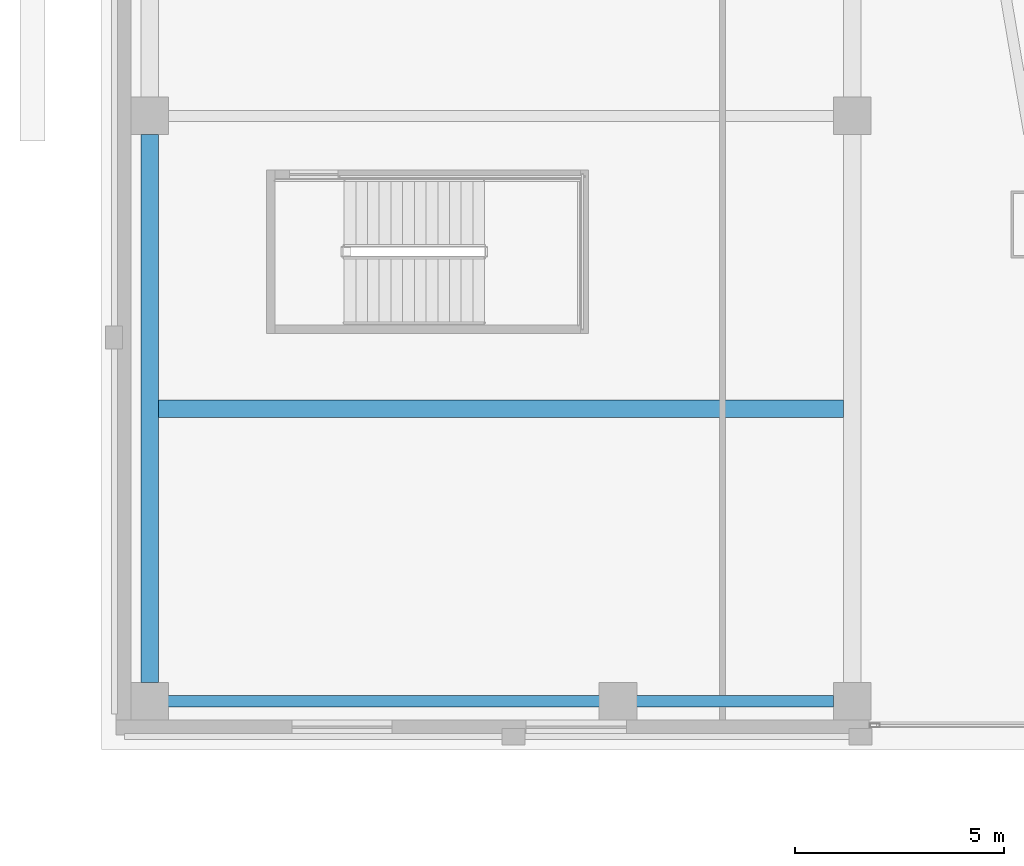
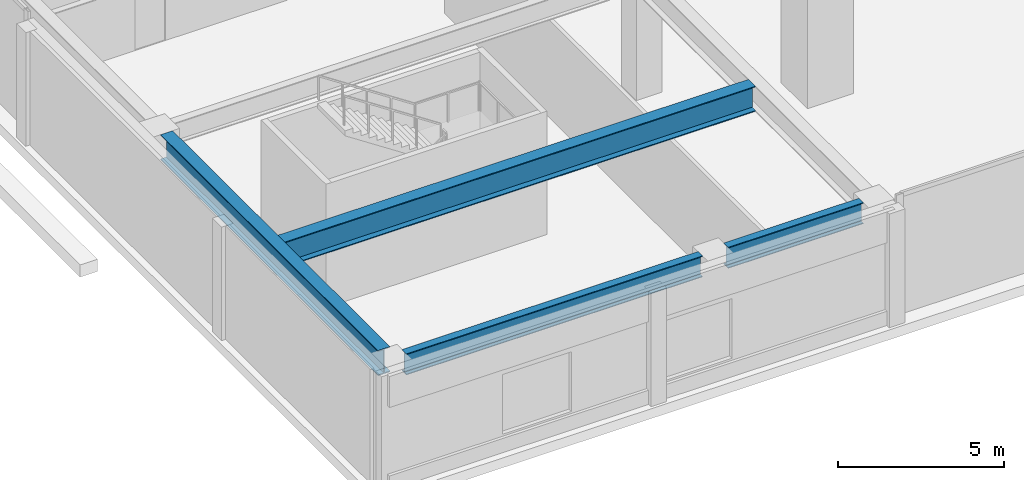
# One storey, part 5 of 44: 4 beams.
"""IFC4 building model written with IfcOpenShell, lengths in metres."""

from ifc_helpers import new_model, si_unit, direction, frame, origin, origin_2d, place, context, subcontext, project, spatial, i_section, extrude, material, material_profile, profile_set, type_object, element, save


model = new_model("IFC4")

# Units and contexts
model_context = context("Model", 3, precision=1e-05, world=origin(), true_north=direction((0.0, 1.0)))
body_context = subcontext(model_context, "Body", "Model", "MODEL_VIEW")
ifc_project = project(units=[si_unit("LENGTHUNIT", "METRE"), si_unit("AREAUNIT", "SQUARE_METRE"), si_unit("VOLUMEUNIT", "CUBIC_METRE"), si_unit("PLANEANGLEUNIT", "RADIAN"), si_unit("MASSUNIT", "GRAM", prefix="KILO")], contexts=[model_context])

# Site, building, storey
site_placement = place(None, origin())
site = spatial("IfcSite", under=ifc_project, at=site_placement, CompositionType="ELEMENT")
building_placement = place(site_placement, origin())
building = spatial("IfcBuilding", under=site, at=building_placement, Name="Tashvorn Skyway Center", CompositionType="ELEMENT")
storey_placement = place(building_placement, frame((0.0, 0.0, 5.39990234375)))
storey = spatial("IfcBuildingStorey", under=building, at=storey_placement, Name="L01", CompositionType="ELEMENT", Elevation=5.39990234375)

# Beams
ifc_material_1 = material(Name="Steel ASTM A992 Grade 50", Category="steel")
ifc_material_profile_1 = material_profile(ifc_material_1, i_section(OverallWidth=0.26708984375, OverallDepth=0.779052734375, WebThickness=0.0166015625, FlangeThickness=0.030029296875, at=origin_2d()), Name="W30X148")
ifc_profile_set_1 = profile_set([ifc_material_profile_1], Name="Steel ASTM A992 Grade 50")
beam_type_1 = type_object("IfcBeamType", Name="BM-BEAM-W30X148", PredefinedType="BEAM", material=ifc_profile_set_1)
beam_1_placement = place(storey_placement, frame((1.2451171875, 0.800048828125, 4.150634765625), z_axis=(1.0, 0.0, 0.0), x_axis=(0.0, 1.0, 0.0)))
element("IfcBeam", 1, at=beam_1_placement, inside=storey, type_object=beam_type_1, Name="L01 West Edge Girder A 01", PredefinedType="BEAM", context=body_context, shape_type="SweptSolid", body=[
    extrude(i_section(OverallWidth=0.26708984375, OverallDepth=0.779052734375, WebThickness=0.0166015625, FlangeThickness=0.030029296875, at=origin_2d()), origin(), (0.0, 0.0, 1.0), 10.309814453125),
])
beam_2_placement = place(storey_placement, frame((12.445068359375, 0.800048828125, 4.150634765625), z_axis=(1.0, 0.0, 0.0), x_axis=(0.0, 1.0, 0.0)))
element("IfcBeam", 2, at=beam_2_placement, inside=storey, type_object=beam_type_1, Name="L01 West Edge Girder B 01", PredefinedType="BEAM", context=body_context, shape_type="SweptSolid", body=[
    extrude(i_section(OverallWidth=0.26708984375, OverallDepth=0.779052734375, WebThickness=0.0166015625, FlangeThickness=0.030029296875, at=origin_2d()), origin(), (0.0, 0.0, 1.0), 4.7099609375),
])
ifc_material_2 = material(Name="Steel ASTM A913 Grade 65", Category="steel")
ifc_material_profile_2 = material_profile(ifc_material_2, i_section(OverallWidth=0.4189453125, OverallDepth=0.927001953125, WebThickness=0.019287109375, FlangeThickness=0.031982421875, at=origin_2d()), Name="W36X231")
ifc_profile_set_2 = profile_set([ifc_material_profile_2], Name="Steel ASTM A913 Grade 65")
beam_type_2 = type_object("IfcBeamType", Name="BM-BEAM-W36X231", PredefinedType="BEAM", material=ifc_profile_set_2)
beam_3_placement = place(storey_placement, frame((0.800048828125, 1.2451171875, 4.07666015625), z_axis=(0.0, 1.0, 0.0), x_axis=(-1.0, 0.0, 0.0)))
element("IfcBeam", 3, at=beam_3_placement, inside=storey, type_object=beam_type_2, Name="L01 North-South Podium Girder 01-S", PredefinedType="BEAM", context=body_context, shape_type="SweptSolid", body=[
    extrude(i_section(OverallWidth=0.4189453125, OverallDepth=0.927001953125, WebThickness=0.019287109375, FlangeThickness=0.031982421875, at=origin_2d()), origin(), (0.0, 0.0, 1.0), 13.10986328125),
])
beam_4_placement = place(storey_placement, frame((1.00146484375, 7.800048828125, 4.07666015625), z_axis=(1.0, 0.0, 0.0), x_axis=(0.0, 1.0, 0.0)))
element("IfcBeam", 4, at=beam_4_placement, inside=storey, type_object=beam_type_2, Name="L01 West Auditorium Span Girder 02", PredefinedType="BEAM", context=body_context, shape_type="SweptSolid", body=[
    extrude(i_section(OverallWidth=0.4189453125, OverallDepth=0.927001953125, WebThickness=0.019287109375, FlangeThickness=0.031982421875, at=origin_2d()), origin(), (0.0, 0.0, 1.0), 16.39697265625),
])

save(model, "model.ifc")
